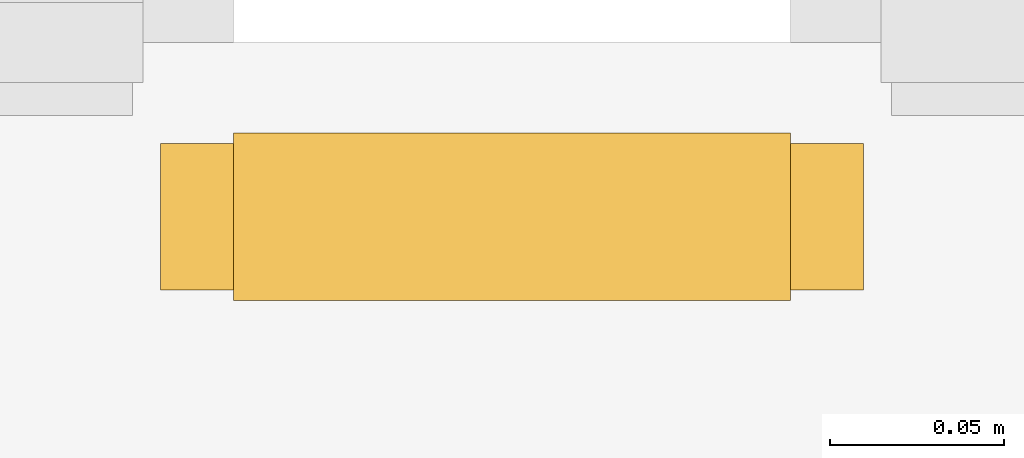
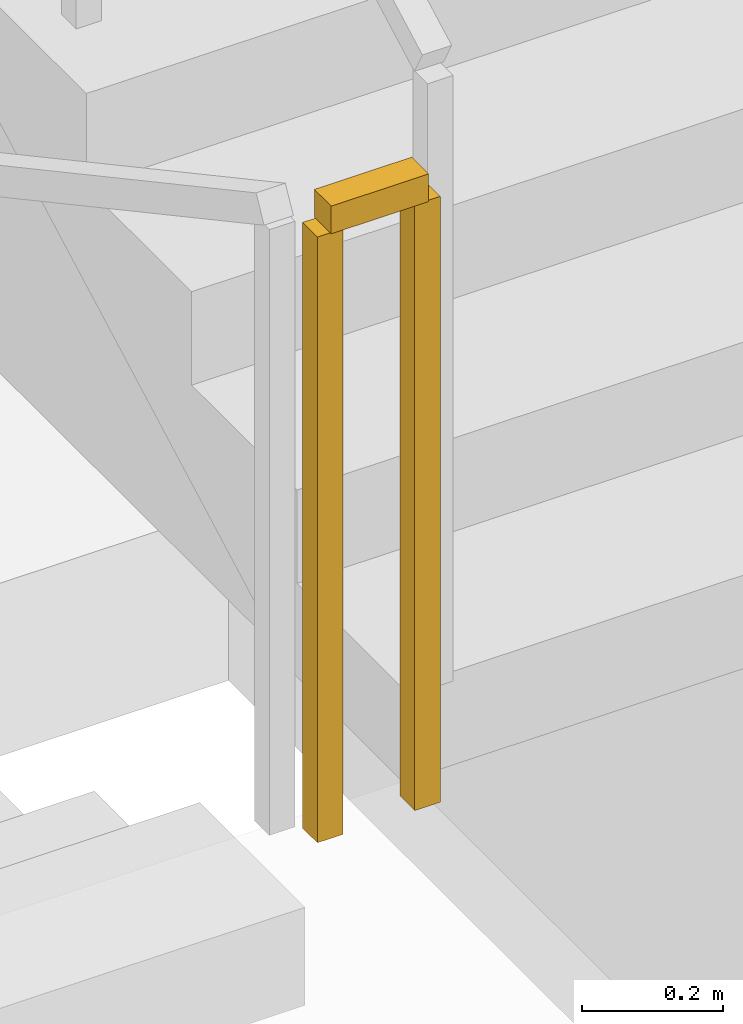
# One storey, part 10 of 14: 1 railing.
"""IFC4 building model written with IfcOpenShell, lengths in metres."""

from ifc_helpers import new_model, si_unit, direction, frame, origin, origin_2d, place, context, subcontext, project, spatial, rectangle, extrude, material, type_object, element, save


model = new_model("IFC4")

# Units and contexts
model_context = context("Model", 3, precision=1e-05, world=origin(), true_north=direction((0.0, 1.0)))
body_context = subcontext(model_context, "Body", "Model", "MODEL_VIEW")
ifc_project = project(units=[si_unit("LENGTHUNIT", "METRE"), si_unit("AREAUNIT", "SQUARE_METRE"), si_unit("VOLUMEUNIT", "CUBIC_METRE"), si_unit("PLANEANGLEUNIT", "RADIAN"), si_unit("MASSUNIT", "GRAM", prefix="KILO")], contexts=[model_context])

# Site, building, storey
site_placement = place(None, origin())
site = spatial("IfcSite", under=ifc_project, at=site_placement, CompositionType="ELEMENT")
building_placement = place(site_placement, origin())
building = spatial("IfcBuilding", under=site, at=building_placement, Name="Zulmaris Gate Convention Tower", CompositionType="ELEMENT")
storey_placement = place(building_placement, frame((0.0, 0.0, 60.760009765625)))
storey = spatial("IfcBuildingStorey", under=building, at=storey_placement, Name="L14", CompositionType="ELEMENT", Elevation=60.760009765625)

# Railing
ifc_material = material(Name="Painted Galvanised Steel", Category="steel")
railing_type = type_object("IfcRailingType", Name="RL-STG-1150", PredefinedType="GUARDRAIL", material=ifc_material)
railing_placement = place(storey_placement, frame((-13.219970703125, -5.050048828125, 1.784912109375)))
element("IfcRailing", 1, at=railing_placement, inside=storey, type_object=railing_type, Name="L14 ST-1 stair guard 2", PredefinedType="GUARDRAIL", context=body_context, shape_type="SweptSolid", body=[
    extrude(rectangle(XDim=0.048095703125, YDim=0.048095703125, at=origin_2d()), frame((0.0, 0.0, 1.076171875), z_axis=(1.0, 0.0, 0.0), x_axis=(0.0, 1.0, 0.0)), (0.0, 0.0, 1.0), 0.159912109375),
    extrude(rectangle(XDim=0.0419921875, YDim=0.0419921875, at=origin_2d()), origin(), (0.0, 0.0, 1.0), 1.052001953125),
    extrude(rectangle(XDim=0.0419921875, YDim=0.0419921875, at=origin_2d()), frame((0.159912109375, 0.0, 0.0)), (0.0, 0.0, 1.0), 1.052001953125),
])

save(model, "model.ifc")
